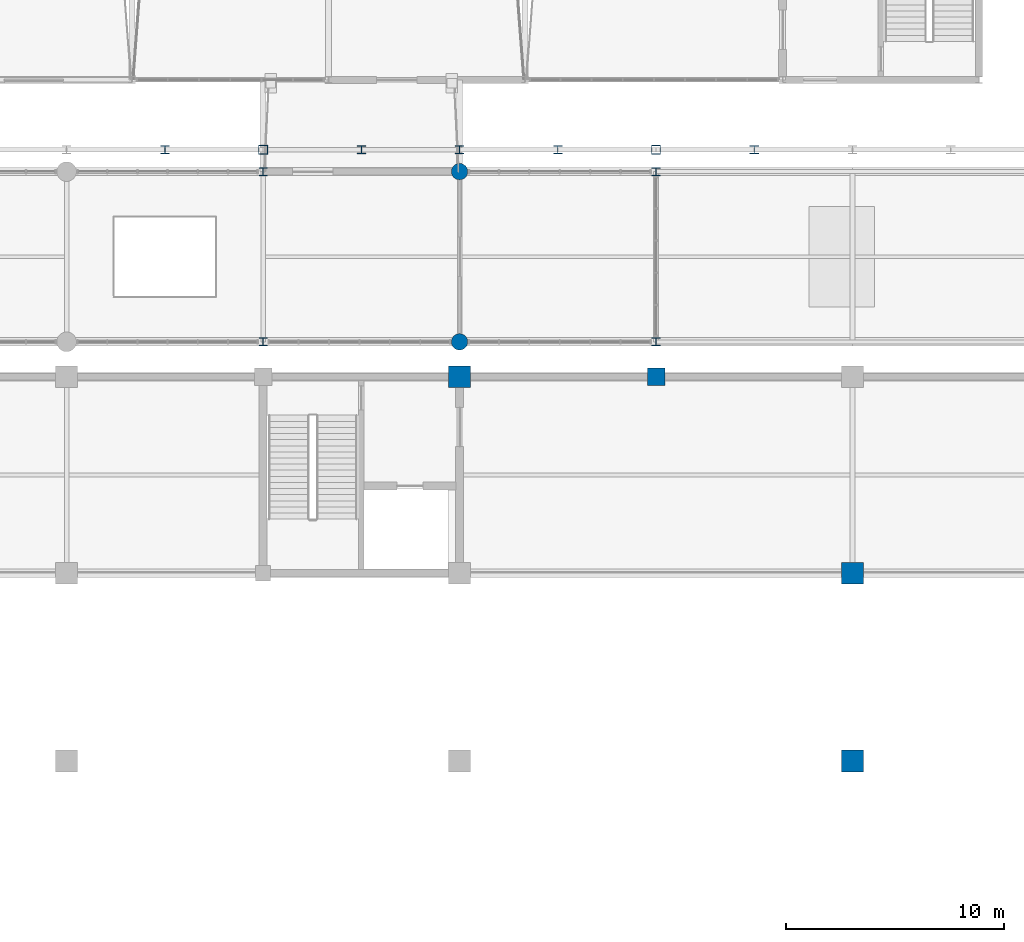
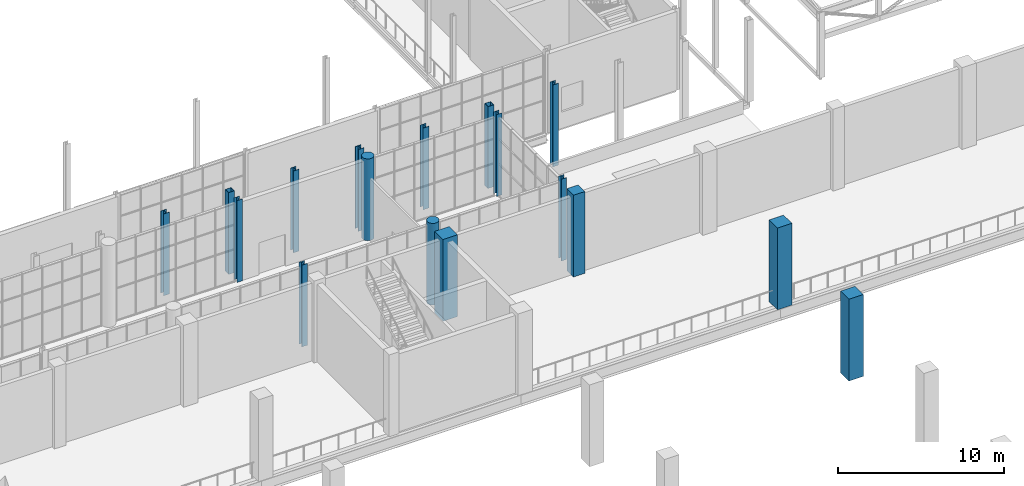
# One storey, part 17 of 159: 17 columns.
"""IFC4 building model written with IfcOpenShell, lengths in metres."""

from ifc_helpers import new_model, si_unit, direction, frame, origin, origin_2d, place, context, subcontext, project, spatial, rectangle, hollow_rectangle, circle, i_section, extrude, material, material_profile, profile_set, type_object, element, save


model = new_model("IFC4")

# Units and contexts
model_context = context("Model", 3, precision=1e-05, world=origin(), true_north=direction((0.0, 1.0)))
body_context = subcontext(model_context, "Body", "Model", "MODEL_VIEW")
ifc_project = project(units=[si_unit("LENGTHUNIT", "METRE"), si_unit("AREAUNIT", "SQUARE_METRE"), si_unit("VOLUMEUNIT", "CUBIC_METRE"), si_unit("PLANEANGLEUNIT", "RADIAN"), si_unit("MASSUNIT", "GRAM", prefix="KILO")], contexts=[model_context])

# Site, building, storey
site_placement = place(None, origin())
site = spatial("IfcSite", under=ifc_project, at=site_placement, CompositionType="ELEMENT")
building_placement = place(site_placement, origin())
building = spatial("IfcBuilding", under=site, at=building_placement, Name="Cazmaro Siding Exhibition Halls", CompositionType="ELEMENT")
storey_placement = place(building_placement, frame((0.0, 0.0, 6.0)))
storey = spatial("IfcBuildingStorey", under=building, at=storey_placement, Name="L01", CompositionType="ELEMENT", Elevation=6.0)

# Columns
ifc_material_1 = material(Name="Steel ASTM A992 Grade 50", Category="steel")
ifc_material_profile_1 = material_profile(ifc_material_1, i_section(OverallWidth=0.39208984375, OverallDepth=0.3759765625, WebThickness=0.01708984375, FlangeThickness=0.028076171875, at=origin_2d()), Name="W14X145")
ifc_profile_set_1 = profile_set([ifc_material_profile_1], Name="Steel ASTM A992 Grade 50")
column_type_1 = type_object("IfcColumnType", Name="C-03", PredefinedType="COLUMN", material=ifc_profile_set_1)
for number, where, z_axis, x_axis, name in (
    (1, (130.5, 64.0, 0.0), (0.0, 0.0, 1.0), (1.0, 0.0, 0.0), "Column C-03 COL-0116"),
    (2, (139.5, 64.0, 0.0), (0.0, 0.0, 1.0), (1.0, 0.0, 0.0), "Column C-03 COL-0128"),
    (3, (148.5, 64.0, 0.0), (0.0, 0.0, 1.0), (1.0, 0.0, 0.0), "Column C-03 COL-0140"),
    (4, (157.5, 64.0, 0.0), (0.0, 0.0, 1.0), (1.0, 0.0, 0.0), "Column C-03 COL-0152"),
):
    element("IfcColumn", number, at=place(storey_placement, frame(where, z_axis=z_axis, x_axis=x_axis)), inside=storey, type_object=column_type_1, Name=name, PredefinedType="COLUMN", context=body_context, shape_type="SweptSolid", body=[
        extrude(i_section(OverallWidth=0.39208984375, OverallDepth=0.3759765625, WebThickness=0.01708984375, FlangeThickness=0.028076171875, at=origin_2d()), origin(), (0.0, 0.0, 1.0), 6.0),
    ])
ifc_material_2 = material(Name="Concrete f'c 45 MPa", Category="concrete")
ifc_material_profile_2 = material_profile(ifc_material_2, rectangle(XDim=1.0, YDim=1.0, at=origin_2d()), Name="RC1000X1000")
ifc_profile_set_2 = profile_set([ifc_material_profile_2], Name="Concrete f'c 45 MPa")
column_type_2 = type_object("IfcColumnType", Name="C-07", PredefinedType="COLUMN", material=ifc_profile_set_2)
for number, where, z_axis, x_axis, name in (
    (5, (144.0, 53.60009765625, 0.0), (0.0, 0.0, 1.0), (1.0, 0.0, 0.0), "Column C-07 COL-0516"),
    (6, (162.0, 36.0, 0.0), (0.0, 0.0, 1.0), (1.0, 0.0, 0.0), "Column C-07 COL-0524"),
    (7, (162.0, 44.60009765625, 0.0), (0.0, 0.0, 1.0), (1.0, 0.0, 0.0), "Column C-07 COL-0526"),
):
    element("IfcColumn", number, at=place(storey_placement, frame(where, z_axis=z_axis, x_axis=x_axis)), inside=storey, type_object=column_type_2, Name=name, PredefinedType="COLUMN", context=body_context, shape_type="SweptSolid", body=[
        extrude(rectangle(XDim=1.0, YDim=1.0, at=origin_2d()), origin(), (0.0, 0.0, 1.0), 6.0),
    ])
ifc_material_3 = material(Name="Concrete f'c 45 MPa", Category="concrete")
ifc_material_profile_3 = material_profile(ifc_material_3, rectangle(XDim=0.800048828125, YDim=0.800048828125, at=origin_2d()), Name="RC800X800")
ifc_profile_set_3 = profile_set([ifc_material_profile_3], Name="Concrete f'c 45 MPa")
column_type_3 = type_object("IfcColumnType", Name="C-08", PredefinedType="COLUMN", material=ifc_profile_set_3)
column_1_placement = place(storey_placement, frame((153.0, 53.60009765625, 0.0), z_axis=(0.0, 0.0, 1.0), x_axis=(1.0, 0.0, 0.0)))
element("IfcColumn", 8, at=column_1_placement, inside=storey, type_object=column_type_3, Name="Column C-08 COL-0622", PredefinedType="COLUMN", context=body_context, shape_type="SweptSolid", body=[
    extrude(rectangle(XDim=0.800048828125, YDim=0.800048828125, at=origin_2d()), origin(), (0.0, 0.0, 1.0), 6.0),
])
ifc_material_4 = material(Name="Steel ASTM A992 Grade 50", Category="steel")
ifc_material_profile_4 = material_profile(ifc_material_4, i_section(OverallWidth=0.39892578125, OverallDepth=0.386962890625, WebThickness=0.02099609375, FlangeThickness=0.032958984375, at=origin_2d()), Name="W14X176")
ifc_profile_set_4 = profile_set([ifc_material_profile_4], Name="Steel ASTM A992 Grade 50")
column_type_4 = type_object("IfcColumnType", Name="C-11", PredefinedType="COLUMN", material=ifc_profile_set_4)
column_2_placement = place(storey_placement, frame((144.0, 64.0, 0.0), z_axis=(0.0, 0.0, 1.0), x_axis=(1.0, 0.0, 0.0)))
element("IfcColumn", 9, at=column_2_placement, inside=storey, type_object=column_type_4, Name="Column C-11 COL-0134", PredefinedType="COLUMN", context=body_context, shape_type="SweptSolid", body=[
    extrude(i_section(OverallWidth=0.39892578125, OverallDepth=0.386962890625, WebThickness=0.02099609375, FlangeThickness=0.032958984375, at=origin_2d()), origin(), (0.0, 0.0, 1.0), 6.0),
])
ifc_material_5 = material(Name="Steel ASTM A992 Grade 50", Category="steel")
ifc_material_profile_5 = material_profile(ifc_material_5, i_section(OverallWidth=0.37109375, OverallDepth=0.364013671875, WebThickness=0.012939453125, FlangeThickness=0.02197265625, at=origin_2d()), Name="W14X109")
ifc_profile_set_5 = profile_set([ifc_material_profile_5], Name="Steel ASTM A992 Grade 50")
column_type_5 = type_object("IfcColumnType", Name="C-12", PredefinedType="COLUMN", material=ifc_profile_set_5)
for number, where, z_axis, x_axis, name in (
    (10, (135.0, 55.199951171875, 0.0), (0.0, 0.0, 1.0), (1.0, 0.0, 0.0), "Column C-12 COL-0772"),
    (11, (135.0, 63.0, 0.0), (0.0, 0.0, 1.0), (1.0, 0.0, 0.0), "Column C-12 COL-0775"),
    (12, (153.0, 55.199951171875, 0.0), (0.0, 0.0, 1.0), (1.0, 0.0, 0.0), "Column C-12 COL-0784"),
    (13, (153.0, 63.0, 0.0), (0.0, 0.0, 1.0), (1.0, 0.0, 0.0), "Column C-12 COL-0787"),
):
    element("IfcColumn", number, at=place(storey_placement, frame(where, z_axis=z_axis, x_axis=x_axis)), inside=storey, type_object=column_type_5, Name=name, PredefinedType="COLUMN", context=body_context, shape_type="SweptSolid", body=[
        extrude(i_section(OverallWidth=0.37109375, OverallDepth=0.364013671875, WebThickness=0.012939453125, FlangeThickness=0.02197265625, at=origin_2d()), origin(), (0.0, 0.0, 1.0), 6.0),
    ])
ifc_material_6 = material(Name="Steel ASTM A500 Grade C", Category="steel")
ifc_material_profile_6 = material_profile(ifc_material_6, hollow_rectangle(XDim=0.406005859375, YDim=0.406005859375, WallThickness=0.014892578125, at=origin_2d()), Name="HSS16X16X5/8")
ifc_profile_set_6 = profile_set([ifc_material_profile_6], Name="Steel ASTM A500 Grade C")
column_type_6 = type_object("IfcColumnType", Name="PL-01", PredefinedType="PILASTER", material=ifc_profile_set_6)
for number, where, z_axis, x_axis, name in (
    (14, (135.0, 64.0, 0.0), (0.0, 0.0, 1.0), (1.0, 0.0, 0.0), "Column PL-01 COL-0122"),
    (15, (153.0, 64.0, 0.0), (0.0, 0.0, 1.0), (1.0, 0.0, 0.0), "Column PL-01 COL-0146"),
):
    element("IfcColumn", number, at=place(storey_placement, frame(where, z_axis=z_axis, x_axis=x_axis)), inside=storey, type_object=column_type_6, Name=name, PredefinedType="PILASTER", context=body_context, shape_type="SweptSolid", body=[
        extrude(hollow_rectangle(XDim=0.406005859375, YDim=0.406005859375, WallThickness=0.014892578125, at=origin_2d()), origin(), (0.0, 0.0, 1.0), 6.0),
    ])
ifc_material_7 = material(Name="Concrete f'c 45 MPa", Category="concrete")
ifc_material_profile_7 = material_profile(ifc_material_7, circle(Radius=0.375, at=origin_2d()), Name="RC750DIA")
ifc_profile_set_7 = profile_set([ifc_material_profile_7], Name="Concrete f'c 45 MPa")
column_type_7 = type_object("IfcColumnType", Name="PL-03", PredefinedType="PILASTER", material=ifc_profile_set_7)
for number, where, z_axis, x_axis, name in (
    (16, (144.0, 55.199951171875, 0.0), (0.0, 0.0, 1.0), (1.0, 0.0, 0.0), "Column PL-03 COL-0778"),
    (17, (144.0, 63.0, 0.0), (0.0, 0.0, 1.0), (1.0, 0.0, 0.0), "Column PL-03 COL-0781"),
):
    element("IfcColumn", number, at=place(storey_placement, frame(where, z_axis=z_axis, x_axis=x_axis)), inside=storey, type_object=column_type_7, Name=name, PredefinedType="PILASTER", context=body_context, shape_type="SweptSolid", body=[
        extrude(circle(Radius=0.375, at=origin_2d()), origin(), (0.0, 0.0, 1.0), 6.0),
    ])

save(model, "model.ifc")
